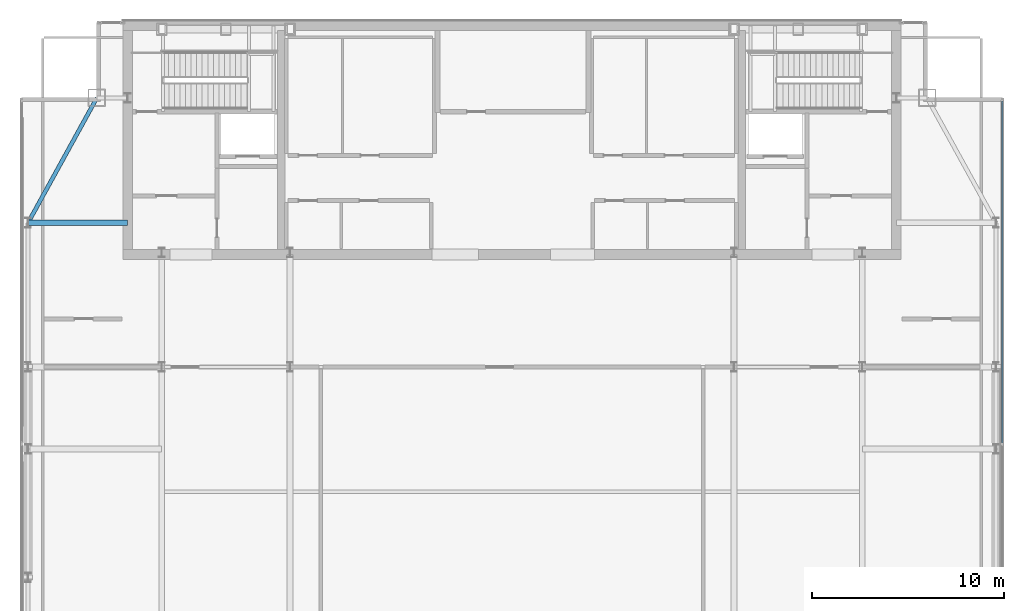
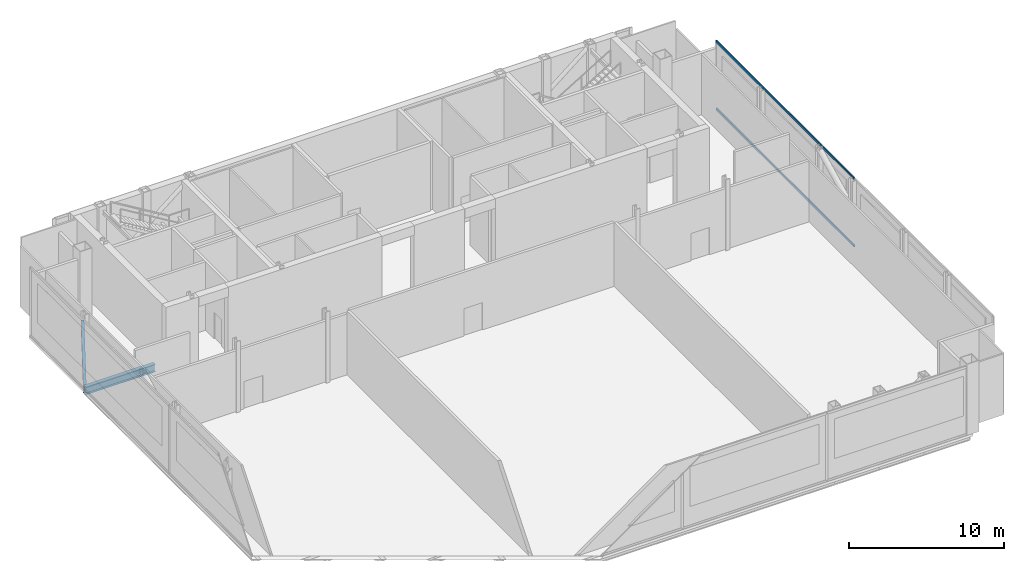
# One storey, part 15 of 22: 2 beams, 2 members, 1 element without a shape of its own.
"""IFC4 building model written with IfcOpenShell, lengths in metres."""

from ifc_helpers import new_model, si_unit, direction, frame, origin, origin_2d, place, context, subcontext, project, spatial, hollow_rectangle, i_section, extrude, material, material_profile, profile_set, type_object, element, aggregate, save


model = new_model("IFC4")

# Units and contexts
model_context = context("Model", 3, precision=1e-05, world=origin(), true_north=direction((0.0, 1.0)))
body_context = subcontext(model_context, "Body", "Model", "MODEL_VIEW")
ifc_project = project(units=[si_unit("LENGTHUNIT", "METRE"), si_unit("AREAUNIT", "SQUARE_METRE"), si_unit("VOLUMEUNIT", "CUBIC_METRE"), si_unit("PLANEANGLEUNIT", "RADIAN"), si_unit("MASSUNIT", "GRAM", prefix="KILO")], contexts=[model_context])

# Site, building, storey
site_placement = place(None, origin())
site = spatial("IfcSite", under=ifc_project, at=site_placement, CompositionType="ELEMENT")
building_placement = place(site_placement, origin())
building = spatial("IfcBuilding", under=site, at=building_placement, Name="Khoronbel Lancet Exchange", CompositionType="ELEMENT")
storey_placement = place(building_placement, frame((0.0, 0.0, 361.800048828125)))
storey = spatial("IfcBuildingStorey", under=building, at=storey_placement, Name="L93", CompositionType="ELEMENT", Elevation=361.800048828125)

# Beams
ifc_material_1 = material(Name="Steel S355", Category="steel")
ifc_material_profile_1 = material_profile(ifc_material_1, i_section(OverallWidth=0.300048828125, OverallDepth=0.60009765625, WebThickness=0.015380859375, FlangeThickness=0.030029296875, at=origin_2d()), Name="HEB 600")
ifc_profile_set_1 = profile_set([ifc_material_profile_1], Name="Steel S355")
beam_type_1 = type_object("IfcBeamType", Name="BM-BG5", PredefinedType="BEAM", material=ifc_profile_set_1)
beam_1_placement = place(storey_placement, frame((11.27001953125, 43.199951171875, -0.5), z_axis=(1.0, 0.0, 0.0), x_axis=(0.0, 1.0, 0.0)))
element("IfcBeam", 1, at=beam_1_placement, inside=storey, type_object=beam_type_1, Name="Level L93 west lens tie girder LG3W", PredefinedType="BEAM", context=body_context, shape_type="SweptSolid", body=[
    extrude(i_section(OverallWidth=0.300048828125, OverallDepth=0.60009765625, WebThickness=0.015380859375, FlangeThickness=0.030029296875, at=origin_2d()), origin(), (0.0, 0.0, 1.0), 5.179931640625),
])
ifc_material_profile_2 = material_profile(ifc_material_1, i_section(OverallWidth=0.2099609375, OverallDepth=0.550048828125, WebThickness=0.010986328125, FlangeThickness=0.01708984375, at=origin_2d()), Name="IPE 550")
ifc_profile_set_2 = profile_set([ifc_material_profile_2], Name="Steel S355")
beam_type_2 = type_object("IfcBeamType", Name="BM-BSP3", PredefinedType="SPANDREL", material=ifc_profile_set_2)
beam_2_placement = place(storey_placement, frame((14.85009765625, 49.699951171875, -0.47509765625), z_axis=(-0.482444051088, -0.875926787791, 0.0), x_axis=(0.875926787791, -0.482444051088, 0.0)))
element("IfcBeam", 2, at=beam_2_placement, inside=storey, type_object=beam_type_2, Name="Level L93 perimeter spandrel beam SP14", PredefinedType="SPANDREL", context=body_context, shape_type="SweptSolid", body=[
    extrude(i_section(OverallWidth=0.2099609375, OverallDepth=0.550048828125, WebThickness=0.010986328125, FlangeThickness=0.01708984375, at=origin_2d()), origin(), (0.0, 0.0, 1.0), 7.420654296875),
])

# Curtain wall, members
ifc_material_2 = material(Name="Low-E Solar Control Insulating Glass", Category="glass")
curtain_wall_type = type_object("IfcCurtainWallType", Name="CW-6", PredefinedType="NOTDEFINED", material=ifc_material_2)
curtain_wall_placement = place(storey_placement, origin())
curtain_wall = element("IfcCurtainWall", 3, at=curtain_wall_placement, inside=storey, type_object=curtain_wall_type, Name="Unitised curtain wall CW-L93-E09", PredefinedType="NOTDEFINED")
ifc_material_3 = material(Name="Bronze-Anodised Aluminium 6063-T6", Category="aluminium")
ifc_material_profile_3 = material_profile(ifc_material_3, hollow_rectangle(XDim=0.0849609375, YDim=0.179931640625, WallThickness=0.0048828125, at=origin_2d()), Name="ALU TRANSOM 85x180")
ifc_profile_set_3 = profile_set([ifc_material_profile_3], Name="Bronze-Anodised Aluminium 6063-T6")
member_type = type_object("IfcMemberType", Name="MEM-CWT1", PredefinedType="USERDEFINED", material=ifc_profile_set_3)
member_1_placement = place(storey_placement, frame((61.9599609375, 49.534912109375, 0.04248046875), z_axis=(0.0, -1.0, 0.0), x_axis=(1.0, 0.0, 0.0)))
member_1 = element("IfcMember", 4, at=member_1_placement, type_object=member_type, Name="CW6 transom 1.1", ObjectType="TRANSOM", PredefinedType="USERDEFINED", context=body_context, shape_type="SweptSolid", body=[
    extrude(hollow_rectangle(XDim=0.0849609375, YDim=0.179931640625, WallThickness=0.0048828125, at=origin_2d()), origin(), (0.0, 0.0, 1.0), 17.79736328125),
])
member_2_placement = place(storey_placement, frame((61.9599609375, 49.534912109375, 5.357421875), z_axis=(0.0, -1.0, 0.0), x_axis=(1.0, 0.0, 0.0)))
member_2 = element("IfcMember", 5, at=member_2_placement, type_object=member_type, Name="CW6 transom 1.2", ObjectType="TRANSOM", PredefinedType="USERDEFINED", context=body_context, shape_type="SweptSolid", body=[
    extrude(hollow_rectangle(XDim=0.0849609375, YDim=0.179931640625, WallThickness=0.0048828125, at=origin_2d()), origin(), (0.0, 0.0, 1.0), 17.79736328125),
])
aggregate(curtain_wall, [member_1, member_2])

save(model, "model.ifc")
